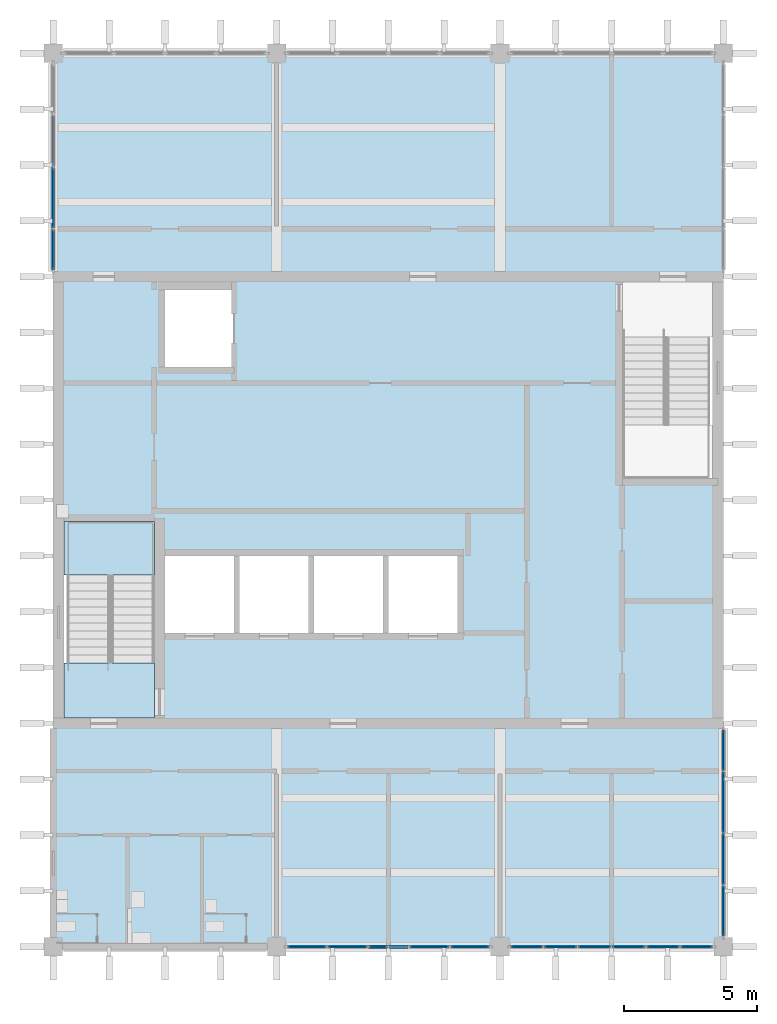
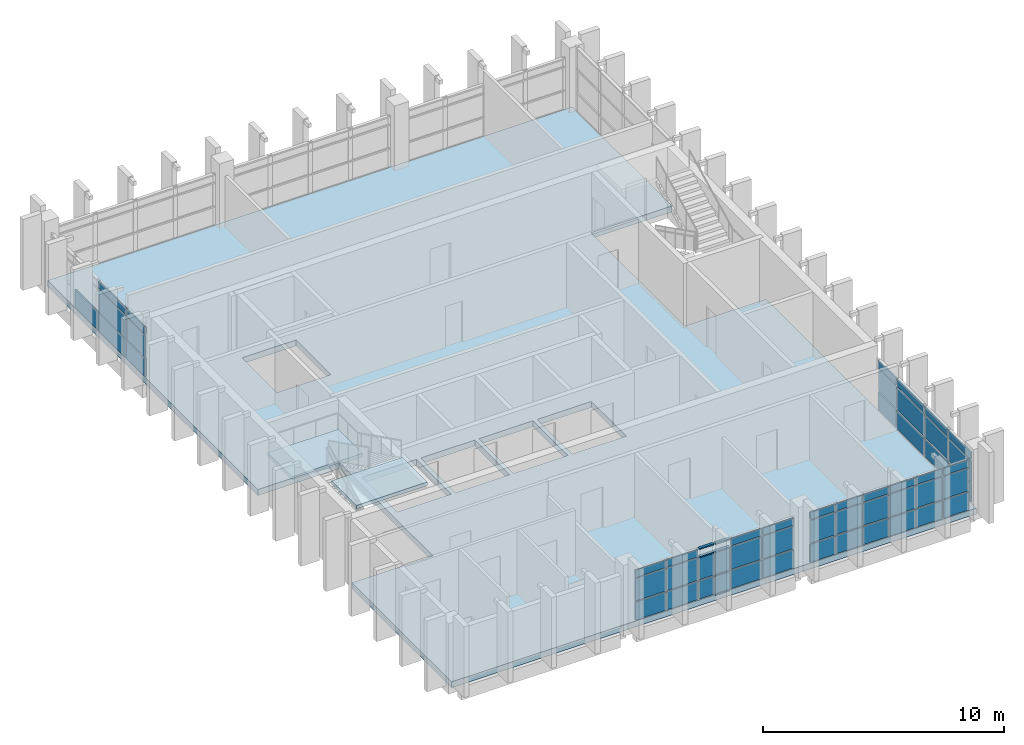
# One storey, part 5 of 11: 53 plates, 6 members, 3 slabs, 5 elements without a shape of their own.
"""IFC4 building model written with IfcOpenShell, lengths in metres."""

from ifc_helpers import new_model, si_unit, direction, frame, origin, origin_2d, place, context, subcontext, project, spatial, polyline, rectangle, outline, extrude, material, layer, layer_set, material_profile, profile_set, type_object, element, aggregate, save


model = new_model("IFC4")

# Units and contexts
model_context = context("Model", 3, precision=1e-05, world=origin(), true_north=direction((0.0, 1.0)))
body_context = subcontext(model_context, "Body", "Model", "MODEL_VIEW")
ifc_project = project(units=[si_unit("LENGTHUNIT", "METRE"), si_unit("AREAUNIT", "SQUARE_METRE"), si_unit("VOLUMEUNIT", "CUBIC_METRE"), si_unit("PLANEANGLEUNIT", "RADIAN"), si_unit("MASSUNIT", "GRAM", prefix="KILO")], contexts=[model_context])

# Site, building, storey
site_placement = place(None, origin())
site = spatial("IfcSite", under=ifc_project, at=site_placement, CompositionType="ELEMENT")
building_placement = place(site_placement, origin())
building = spatial("IfcBuilding", under=site, at=building_placement, Name="Rulbaag Community and Learning Centre", CompositionType="ELEMENT")
storey_placement = place(building_placement, frame((0.0, 0.0, 50.39990234375)))
storey = spatial("IfcBuildingStorey", under=building, at=storey_placement, Name="L13", CompositionType="ELEMENT", Elevation=50.39990234375)

# Curtain wall, members, plates
ifc_material_1 = material(Name="Aluminium", Category="aluminium")
ifc_layer_1 = layer(ifc_material_1, 0.14990234375)
ifc_layer_set_1 = layer_set([ifc_layer_1], Name="CW-S")
curtain_wall_type_1 = type_object("IfcCurtainWallType", Name="CW-S", PredefinedType="USERDEFINED", material=ifc_layer_set_1)
curtain_wall_1_placement = place(storey_placement, origin())
curtain_wall_1 = element("IfcCurtainWall", 1, at=curtain_wall_1_placement, inside=storey, type_object=curtain_wall_type_1, Name="GS-L13-01", ObjectType="UNITISED CURTAIN WALL", PredefinedType="USERDEFINED")
ifc_material_2 = material(Name="Aluminium transom", Category="aluminium")
ifc_material_profile = material_profile(ifc_material_2, rectangle(XDim=0.125, YDim=0.06005859375, at=origin_2d()), Name="AL 60x125 T")
ifc_profile_set = profile_set([ifc_material_profile], Name="Aluminium transom")
member_type = type_object("IfcMemberType", Name="CW-S-TRN", PredefinedType="USERDEFINED", material=ifc_profile_set)
member_1_placement = place(storey_placement, frame((154.659912109375, 84.0, 2.2001953125), z_axis=(1.0, 0.0, 0.0), x_axis=(0.0, 1.0, 0.0)))
member_1 = element("IfcMember", 2, at=member_1_placement, type_object=member_type, Name="GS transom 3.3", ObjectType="TRANSOM", PredefinedType="USERDEFINED", context=body_context, shape_type="SweptSolid", body=[
    extrude(rectangle(XDim=0.125, YDim=0.06005859375, at=origin_2d()), origin(), (0.0, 0.0, 1.0), 0.710205078125),
])
member_2_placement = place(storey_placement, frame((154.659912109375, 84.0, 2.6201171875), z_axis=(1.0, 0.0, 0.0), x_axis=(0.0, 1.0, 0.0)))
member_2 = element("IfcMember", 3, at=member_2_placement, type_object=member_type, Name="GS transom 3.4", ObjectType="TRANSOM", PredefinedType="USERDEFINED", context=body_context, shape_type="SweptSolid", body=[
    extrude(rectangle(XDim=0.125, YDim=0.06005859375, at=origin_2d()), origin(), (0.0, 0.0, 1.0), 0.710205078125),
])
member_3_placement = place(storey_placement, frame((155.429931640625, 84.0, 0.030029296875), z_axis=(1.0, 0.0, 0.0), x_axis=(0.0, 1.0, 0.0)))
member_3 = element("IfcMember", 4, at=member_3_placement, type_object=member_type, Name="GS transom 4.1", ObjectType="TRANSOM", PredefinedType="USERDEFINED", context=body_context, shape_type="SweptSolid", body=[
    extrude(rectangle(XDim=0.125, YDim=0.06005859375, at=origin_2d()), origin(), (0.0, 0.0, 1.0), 0.7099609375),
])
member_4_placement = place(storey_placement, frame((155.429931640625, 84.0, 1.0), z_axis=(1.0, 0.0, 0.0), x_axis=(0.0, 1.0, 0.0)))
member_4 = element("IfcMember", 5, at=member_4_placement, type_object=member_type, Name="GS transom 4.2", ObjectType="TRANSOM", PredefinedType="USERDEFINED", context=body_context, shape_type="SweptSolid", body=[
    extrude(rectangle(XDim=0.125, YDim=0.06005859375, at=origin_2d()), origin(), (0.0, 0.0, 1.0), 0.7099609375),
])
member_5_placement = place(storey_placement, frame((155.429931640625, 84.0, 2.2001953125), z_axis=(1.0, 0.0, 0.0), x_axis=(0.0, 1.0, 0.0)))
member_5 = element("IfcMember", 6, at=member_5_placement, type_object=member_type, Name="GS transom 4.3", ObjectType="TRANSOM", PredefinedType="USERDEFINED", context=body_context, shape_type="SweptSolid", body=[
    extrude(rectangle(XDim=0.125, YDim=0.06005859375, at=origin_2d()), origin(), (0.0, 0.0, 1.0), 0.7099609375),
])
member_6_placement = place(storey_placement, frame((155.429931640625, 84.0, 2.6201171875), z_axis=(1.0, 0.0, 0.0), x_axis=(0.0, 1.0, 0.0)))
member_6 = element("IfcMember", 7, at=member_6_placement, type_object=member_type, Name="GS transom 4.4", ObjectType="TRANSOM", PredefinedType="USERDEFINED", context=body_context, shape_type="SweptSolid", body=[
    extrude(rectangle(XDim=0.125, YDim=0.06005859375, at=origin_2d()), origin(), (0.0, 0.0, 1.0), 0.7099609375),
])
ifc_layer_2 = layer(ifc_material_1, 0.054931640625)
ifc_layer_set_2 = layer_set([ifc_layer_2], Name="CW-S-SPN")
plate_type_1 = type_object("IfcPlateType", Name="CW-S-SPN", PredefinedType="CURTAIN_PANEL", material=ifc_layer_set_2)
plate_1_placement = place(storey_placement, frame((152.3349609375, 84.0, 0.06005859375), z_axis=(0.0, 0.0, 1.0), x_axis=(1.0, 0.0, 0.0)))
plate_1 = element("IfcPlate", 8, at=plate_1_placement, type_object=plate_type_1, Name="GS spandrel panel", PredefinedType="CURTAIN_PANEL", context=body_context, shape_type="SweptSolid", body=[
    extrude(rectangle(XDim=1.449951171875, YDim=0.054931640625, at=origin_2d()), origin(), (0.0, 0.0, 1.0), 0.909912109375),
])
plate_2_placement = place(storey_placement, frame((152.3349609375, 84.0, 2.22998046875), z_axis=(0.0, 0.0, 1.0), x_axis=(1.0, 0.0, 0.0)))
plate_2 = element("IfcPlate", 9, at=plate_2_placement, type_object=plate_type_1, Name="GS spandrel panel", PredefinedType="CURTAIN_PANEL", context=body_context, shape_type="SweptSolid", body=[
    extrude(rectangle(XDim=1.449951171875, YDim=0.054931640625, at=origin_2d()), origin(), (0.0, 0.0, 1.0), 0.360107421875),
])
plate_3_placement = place(storey_placement, frame((153.860107421875, 84.0, 0.06005859375), z_axis=(0.0, 0.0, 1.0), x_axis=(1.0, 0.0, 0.0)))
plate_3 = element("IfcPlate", 10, at=plate_3_placement, type_object=plate_type_1, Name="GS spandrel panel", PredefinedType="CURTAIN_PANEL", context=body_context, shape_type="SweptSolid", body=[
    extrude(rectangle(XDim=1.47998046875, YDim=0.054931640625, at=origin_2d()), origin(), (0.0, 0.0, 1.0), 0.909912109375),
])
plate_4_placement = place(storey_placement, frame((153.860107421875, 84.0, 2.22998046875), z_axis=(0.0, 0.0, 1.0), x_axis=(1.0, 0.0, 0.0)))
plate_4 = element("IfcPlate", 11, at=plate_4_placement, type_object=plate_type_1, Name="GS spandrel panel", PredefinedType="CURTAIN_PANEL", context=body_context, shape_type="SweptSolid", body=[
    extrude(rectangle(XDim=1.47998046875, YDim=0.054931640625, at=origin_2d()), origin(), (0.0, 0.0, 1.0), 0.360107421875),
])
plate_5_placement = place(storey_placement, frame((155.014892578125, 84.0, 0.06005859375), z_axis=(0.0, 0.0, 1.0), x_axis=(1.0, 0.0, 0.0)))
plate_5 = element("IfcPlate", 12, at=plate_5_placement, type_object=plate_type_1, Name="GS spandrel panel", PredefinedType="CURTAIN_PANEL", context=body_context, shape_type="SweptSolid", body=[
    extrude(rectangle(XDim=0.7099609375, YDim=0.054931640625, at=origin_2d()), origin(), (0.0, 0.0, 1.0), 0.909912109375),
])
plate_6_placement = place(storey_placement, frame((155.784912109375, 84.0, 0.06005859375), z_axis=(0.0, 0.0, 1.0), x_axis=(1.0, 0.0, 0.0)))
plate_6 = element("IfcPlate", 13, at=plate_6_placement, type_object=plate_type_1, Name="GS spandrel panel", PredefinedType="CURTAIN_PANEL", context=body_context, shape_type="SweptSolid", body=[
    extrude(rectangle(XDim=0.7099609375, YDim=0.054931640625, at=origin_2d()), origin(), (0.0, 0.0, 1.0), 0.909912109375),
])
plate_7_placement = place(storey_placement, frame((156.93994140625, 84.0, 0.06005859375), z_axis=(0.0, 0.0, 1.0), x_axis=(1.0, 0.0, 0.0)))
plate_7 = element("IfcPlate", 14, at=plate_7_placement, type_object=plate_type_1, Name="GS spandrel panel", PredefinedType="CURTAIN_PANEL", context=body_context, shape_type="SweptSolid", body=[
    extrude(rectangle(XDim=1.47998046875, YDim=0.054931640625, at=origin_2d()), origin(), (0.0, 0.0, 1.0), 0.909912109375),
])
plate_8_placement = place(storey_placement, frame((156.93994140625, 84.0, 2.22998046875), z_axis=(0.0, 0.0, 1.0), x_axis=(1.0, 0.0, 0.0)))
plate_8 = element("IfcPlate", 15, at=plate_8_placement, type_object=plate_type_1, Name="GS spandrel panel", PredefinedType="CURTAIN_PANEL", context=body_context, shape_type="SweptSolid", body=[
    extrude(rectangle(XDim=1.47998046875, YDim=0.054931640625, at=origin_2d()), origin(), (0.0, 0.0, 1.0), 0.360107421875),
])
plate_9_placement = place(storey_placement, frame((158.465087890625, 84.0, 0.06005859375), z_axis=(0.0, 0.0, 1.0), x_axis=(1.0, 0.0, 0.0)))
plate_9 = element("IfcPlate", 16, at=plate_9_placement, type_object=plate_type_1, Name="GS spandrel panel", PredefinedType="CURTAIN_PANEL", context=body_context, shape_type="SweptSolid", body=[
    extrude(rectangle(XDim=1.449951171875, YDim=0.054931640625, at=origin_2d()), origin(), (0.0, 0.0, 1.0), 0.909912109375),
])
plate_10_placement = place(storey_placement, frame((158.465087890625, 84.0, 2.22998046875), z_axis=(0.0, 0.0, 1.0), x_axis=(1.0, 0.0, 0.0)))
plate_10 = element("IfcPlate", 17, at=plate_10_placement, type_object=plate_type_1, Name="GS spandrel panel", PredefinedType="CURTAIN_PANEL", context=body_context, shape_type="SweptSolid", body=[
    extrude(rectangle(XDim=1.449951171875, YDim=0.054931640625, at=origin_2d()), origin(), (0.0, 0.0, 1.0), 0.360107421875),
])

# Curtain wall, plates
curtain_wall_2_placement = place(storey_placement, origin())
curtain_wall_2 = element("IfcCurtainWall", 18, at=curtain_wall_2_placement, inside=storey, type_object=curtain_wall_type_1, Name="GS-L13-02", ObjectType="UNITISED CURTAIN WALL", PredefinedType="USERDEFINED")
plate_11_placement = place(storey_placement, frame((160.606689453125, 84.0, 0.06005859375), z_axis=(0.0, 0.0, 1.0), x_axis=(1.0, 0.0, 0.0)))
plate_11 = element("IfcPlate", 19, at=plate_11_placement, type_object=plate_type_1, Name="GS spandrel panel", PredefinedType="CURTAIN_PANEL", context=body_context, shape_type="SweptSolid", body=[
    extrude(rectangle(XDim=1.193359375, YDim=0.054931640625, at=origin_2d()), origin(), (0.0, 0.0, 1.0), 0.909912109375),
])
plate_12_placement = place(storey_placement, frame((160.606689453125, 84.0, 2.22998046875), z_axis=(0.0, 0.0, 1.0), x_axis=(1.0, 0.0, 0.0)))
plate_12 = element("IfcPlate", 20, at=plate_12_placement, type_object=plate_type_1, Name="GS spandrel panel", PredefinedType="CURTAIN_PANEL", context=body_context, shape_type="SweptSolid", body=[
    extrude(rectangle(XDim=1.193359375, YDim=0.054931640625, at=origin_2d()), origin(), (0.0, 0.0, 1.0), 0.360107421875),
])
plate_13_placement = place(storey_placement, frame((161.875, 84.0, 0.06005859375), z_axis=(0.0, 0.0, 1.0), x_axis=(1.0, 0.0, 0.0)))
plate_13 = element("IfcPlate", 21, at=plate_13_placement, type_object=plate_type_1, Name="GS spandrel panel", PredefinedType="CURTAIN_PANEL", context=body_context, shape_type="SweptSolid", body=[
    extrude(rectangle(XDim=1.223388671875, YDim=0.054931640625, at=origin_2d()), origin(), (0.0, 0.0, 1.0), 0.909912109375),
])
plate_14_placement = place(storey_placement, frame((161.875, 84.0, 2.22998046875), z_axis=(0.0, 0.0, 1.0), x_axis=(1.0, 0.0, 0.0)))
plate_14 = element("IfcPlate", 22, at=plate_14_placement, type_object=plate_type_1, Name="GS spandrel panel", PredefinedType="CURTAIN_PANEL", context=body_context, shape_type="SweptSolid", body=[
    extrude(rectangle(XDim=1.223388671875, YDim=0.054931640625, at=origin_2d()), origin(), (0.0, 0.0, 1.0), 0.360107421875),
])
plate_15_placement = place(storey_placement, frame((163.158447265625, 84.0, 0.06005859375), z_axis=(0.0, 0.0, 1.0), x_axis=(1.0, 0.0, 0.0)))
plate_15 = element("IfcPlate", 23, at=plate_15_placement, type_object=plate_type_1, Name="GS spandrel panel", PredefinedType="CURTAIN_PANEL", context=body_context, shape_type="SweptSolid", body=[
    extrude(rectangle(XDim=1.223388671875, YDim=0.054931640625, at=origin_2d()), origin(), (0.0, 0.0, 1.0), 0.909912109375),
])
plate_16_placement = place(storey_placement, frame((163.158447265625, 84.0, 2.22998046875), z_axis=(0.0, 0.0, 1.0), x_axis=(1.0, 0.0, 0.0)))
plate_16 = element("IfcPlate", 24, at=plate_16_placement, type_object=plate_type_1, Name="GS spandrel panel", PredefinedType="CURTAIN_PANEL", context=body_context, shape_type="SweptSolid", body=[
    extrude(rectangle(XDim=1.223388671875, YDim=0.054931640625, at=origin_2d()), origin(), (0.0, 0.0, 1.0), 0.360107421875),
])
plate_17_placement = place(storey_placement, frame((164.441650390625, 84.0, 0.06005859375), z_axis=(0.0, 0.0, 1.0), x_axis=(1.0, 0.0, 0.0)))
plate_17 = element("IfcPlate", 25, at=plate_17_placement, type_object=plate_type_1, Name="GS spandrel panel", PredefinedType="CURTAIN_PANEL", context=body_context, shape_type="SweptSolid", body=[
    extrude(rectangle(XDim=1.223388671875, YDim=0.054931640625, at=origin_2d()), origin(), (0.0, 0.0, 1.0), 0.909912109375),
])
plate_18_placement = place(storey_placement, frame((164.441650390625, 84.0, 2.22998046875), z_axis=(0.0, 0.0, 1.0), x_axis=(1.0, 0.0, 0.0)))
plate_18 = element("IfcPlate", 26, at=plate_18_placement, type_object=plate_type_1, Name="GS spandrel panel", PredefinedType="CURTAIN_PANEL", context=body_context, shape_type="SweptSolid", body=[
    extrude(rectangle(XDim=1.223388671875, YDim=0.054931640625, at=origin_2d()), origin(), (0.0, 0.0, 1.0), 0.360107421875),
])
plate_19_placement = place(storey_placement, frame((165.72509765625, 84.0, 0.06005859375), z_axis=(0.0, 0.0, 1.0), x_axis=(1.0, 0.0, 0.0)))
plate_19 = element("IfcPlate", 27, at=plate_19_placement, type_object=plate_type_1, Name="GS spandrel panel", PredefinedType="CURTAIN_PANEL", context=body_context, shape_type="SweptSolid", body=[
    extrude(rectangle(XDim=1.223388671875, YDim=0.054931640625, at=origin_2d()), origin(), (0.0, 0.0, 1.0), 0.909912109375),
])
plate_20_placement = place(storey_placement, frame((165.72509765625, 84.0, 2.22998046875), z_axis=(0.0, 0.0, 1.0), x_axis=(1.0, 0.0, 0.0)))
plate_20 = element("IfcPlate", 28, at=plate_20_placement, type_object=plate_type_1, Name="GS spandrel panel", PredefinedType="CURTAIN_PANEL", context=body_context, shape_type="SweptSolid", body=[
    extrude(rectangle(XDim=1.223388671875, YDim=0.054931640625, at=origin_2d()), origin(), (0.0, 0.0, 1.0), 0.360107421875),
])
plate_21_placement = place(storey_placement, frame((166.993408203125, 84.0, 0.06005859375), z_axis=(0.0, 0.0, 1.0), x_axis=(1.0, 0.0, 0.0)))
plate_21 = element("IfcPlate", 29, at=plate_21_placement, type_object=plate_type_1, Name="GS spandrel panel", PredefinedType="CURTAIN_PANEL", context=body_context, shape_type="SweptSolid", body=[
    extrude(rectangle(XDim=1.193359375, YDim=0.054931640625, at=origin_2d()), origin(), (0.0, 0.0, 1.0), 0.909912109375),
])
plate_22_placement = place(storey_placement, frame((166.993408203125, 84.0, 2.22998046875), z_axis=(0.0, 0.0, 1.0), x_axis=(1.0, 0.0, 0.0)))
plate_22 = element("IfcPlate", 30, at=plate_22_placement, type_object=plate_type_1, Name="GS spandrel panel", PredefinedType="CURTAIN_PANEL", context=body_context, shape_type="SweptSolid", body=[
    extrude(rectangle(XDim=1.193359375, YDim=0.054931640625, at=origin_2d()), origin(), (0.0, 0.0, 1.0), 0.360107421875),
])

# Plate
ifc_material_3 = material(Name="Glass", Category="glass")
ifc_layer_3 = layer(ifc_material_3, 0.030029296875)
ifc_layer_set_3 = layer_set([ifc_layer_3], Name="CW-S-VIS")
plate_type_2 = type_object("IfcPlateType", Name="CW-S-VIS", PredefinedType="CURTAIN_PANEL", material=ifc_layer_set_3)
plate_23_placement = place(storey_placement, frame((152.3349609375, 84.0, 1.0302734375), z_axis=(0.0, 0.0, 1.0), x_axis=(1.0, 0.0, 0.0)))
plate_23 = element("IfcPlate", 31, at=plate_23_placement, type_object=plate_type_2, Name="GS vision panel", PredefinedType="CURTAIN_PANEL", context=body_context, shape_type="SweptSolid", body=[
    extrude(rectangle(XDim=1.449951171875, YDim=0.030029296875, at=origin_2d()), origin(), (0.0, 0.0, 1.0), 1.139892578125),
])

plate_24_placement = place(storey_placement, frame((153.860107421875, 84.0, 1.0302734375), z_axis=(0.0, 0.0, 1.0), x_axis=(1.0, 0.0, 0.0)))
plate_24 = element("IfcPlate", 32, at=plate_24_placement, type_object=plate_type_2, Name="GS vision panel", PredefinedType="CURTAIN_PANEL", context=body_context, shape_type="SweptSolid", body=[
    extrude(rectangle(XDim=1.47998046875, YDim=0.030029296875, at=origin_2d()), origin(), (0.0, 0.0, 1.0), 1.139892578125),
])

plate_25_placement = place(storey_placement, frame((155.014892578125, 84.0, 1.0302734375), z_axis=(0.0, 0.0, 1.0), x_axis=(1.0, 0.0, 0.0)))
plate_25 = element("IfcPlate", 33, at=plate_25_placement, type_object=plate_type_2, Name="GS vision panel", PredefinedType="CURTAIN_PANEL", context=body_context, shape_type="SweptSolid", body=[
    extrude(rectangle(XDim=0.7099609375, YDim=0.030029296875, at=origin_2d()), origin(), (0.0, 0.0, 1.0), 1.139892578125),
])

plate_26_placement = place(storey_placement, frame((155.784912109375, 84.0, 1.0302734375), z_axis=(0.0, 0.0, 1.0), x_axis=(1.0, 0.0, 0.0)))
plate_26 = element("IfcPlate", 34, at=plate_26_placement, type_object=plate_type_2, Name="GS vision panel", PredefinedType="CURTAIN_PANEL", context=body_context, shape_type="SweptSolid", body=[
    extrude(rectangle(XDim=0.7099609375, YDim=0.030029296875, at=origin_2d()), origin(), (0.0, 0.0, 1.0), 1.139892578125),
])

plate_27_placement = place(storey_placement, frame((156.93994140625, 84.0, 1.0302734375), z_axis=(0.0, 0.0, 1.0), x_axis=(1.0, 0.0, 0.0)))
plate_27 = element("IfcPlate", 35, at=plate_27_placement, type_object=plate_type_2, Name="GS vision panel", PredefinedType="CURTAIN_PANEL", context=body_context, shape_type="SweptSolid", body=[
    extrude(rectangle(XDim=1.47998046875, YDim=0.030029296875, at=origin_2d()), origin(), (0.0, 0.0, 1.0), 1.139892578125),
])

plate_28_placement = place(storey_placement, frame((158.465087890625, 84.0, 1.0302734375), z_axis=(0.0, 0.0, 1.0), x_axis=(1.0, 0.0, 0.0)))
plate_28 = element("IfcPlate", 36, at=plate_28_placement, type_object=plate_type_2, Name="GS vision panel", PredefinedType="CURTAIN_PANEL", context=body_context, shape_type="SweptSolid", body=[
    extrude(rectangle(XDim=1.449951171875, YDim=0.030029296875, at=origin_2d()), origin(), (0.0, 0.0, 1.0), 1.139892578125),
])

aggregate(curtain_wall_1, [plate_1, plate_23, plate_2, plate_3, plate_24, plate_4, member_1, member_2, plate_5, plate_25, member_3, member_4, member_5, member_6, plate_6, plate_26, plate_7, plate_27, plate_8, plate_9, plate_28, plate_10])

plate_29_placement = place(storey_placement, frame((160.606689453125, 84.0, 1.0302734375), z_axis=(0.0, 0.0, 1.0), x_axis=(1.0, 0.0, 0.0)))
plate_29 = element("IfcPlate", 37, at=plate_29_placement, type_object=plate_type_2, Name="GS vision panel", PredefinedType="CURTAIN_PANEL", context=body_context, shape_type="SweptSolid", body=[
    extrude(rectangle(XDim=1.193359375, YDim=0.030029296875, at=origin_2d()), origin(), (0.0, 0.0, 1.0), 1.139892578125),
])

plate_30_placement = place(storey_placement, frame((161.875, 84.0, 1.0302734375), z_axis=(0.0, 0.0, 1.0), x_axis=(1.0, 0.0, 0.0)))
plate_30 = element("IfcPlate", 38, at=plate_30_placement, type_object=plate_type_2, Name="GS vision panel", PredefinedType="CURTAIN_PANEL", context=body_context, shape_type="SweptSolid", body=[
    extrude(rectangle(XDim=1.223388671875, YDim=0.030029296875, at=origin_2d()), origin(), (0.0, 0.0, 1.0), 1.139892578125),
])

plate_31_placement = place(storey_placement, frame((163.158447265625, 84.0, 1.0302734375), z_axis=(0.0, 0.0, 1.0), x_axis=(1.0, 0.0, 0.0)))
plate_31 = element("IfcPlate", 39, at=plate_31_placement, type_object=plate_type_2, Name="GS vision panel", PredefinedType="CURTAIN_PANEL", context=body_context, shape_type="SweptSolid", body=[
    extrude(rectangle(XDim=1.223388671875, YDim=0.030029296875, at=origin_2d()), origin(), (0.0, 0.0, 1.0), 1.139892578125),
])

plate_32_placement = place(storey_placement, frame((164.441650390625, 84.0, 1.0302734375), z_axis=(0.0, 0.0, 1.0), x_axis=(1.0, 0.0, 0.0)))
plate_32 = element("IfcPlate", 40, at=plate_32_placement, type_object=plate_type_2, Name="GS vision panel", PredefinedType="CURTAIN_PANEL", context=body_context, shape_type="SweptSolid", body=[
    extrude(rectangle(XDim=1.223388671875, YDim=0.030029296875, at=origin_2d()), origin(), (0.0, 0.0, 1.0), 1.139892578125),
])

plate_33_placement = place(storey_placement, frame((165.72509765625, 84.0, 1.0302734375), z_axis=(0.0, 0.0, 1.0), x_axis=(1.0, 0.0, 0.0)))
plate_33 = element("IfcPlate", 41, at=plate_33_placement, type_object=plate_type_2, Name="GS vision panel", PredefinedType="CURTAIN_PANEL", context=body_context, shape_type="SweptSolid", body=[
    extrude(rectangle(XDim=1.223388671875, YDim=0.030029296875, at=origin_2d()), origin(), (0.0, 0.0, 1.0), 1.139892578125),
])

plate_34_placement = place(storey_placement, frame((166.993408203125, 84.0, 1.0302734375), z_axis=(0.0, 0.0, 1.0), x_axis=(1.0, 0.0, 0.0)))
plate_34 = element("IfcPlate", 42, at=plate_34_placement, type_object=plate_type_2, Name="GS vision panel", PredefinedType="CURTAIN_PANEL", context=body_context, shape_type="SweptSolid", body=[
    extrude(rectangle(XDim=1.193359375, YDim=0.030029296875, at=origin_2d()), origin(), (0.0, 0.0, 1.0), 1.139892578125),
])

aggregate(curtain_wall_2, [plate_11, plate_29, plate_12, plate_13, plate_30, plate_14, plate_15, plate_31, plate_16, plate_17, plate_32, plate_18, plate_19, plate_33, plate_20, plate_21, plate_34, plate_22])

# Curtain wall, plates
ifc_layer_4 = layer(ifc_material_1, 0.14990234375)
ifc_layer_set_4 = layer_set([ifc_layer_4], Name="CW-T")
curtain_wall_type_2 = type_object("IfcCurtainWallType", Name="CW-T", PredefinedType="USERDEFINED", material=ifc_layer_set_4)
curtain_wall_3_placement = place(storey_placement, origin())
curtain_wall_3 = element("IfcCurtainWall", 43, at=curtain_wall_3_placement, inside=storey, type_object=curtain_wall_type_2, Name="GT-L13-04", ObjectType="UNITISED CURTAIN WALL", PredefinedType="USERDEFINED")
ifc_layer_5 = layer(ifc_material_1, 0.06005859375)
ifc_layer_set_5 = layer_set([ifc_layer_5], Name="CW-T-SPN")
plate_type_3 = type_object("IfcPlateType", Name="CW-T-SPN", PredefinedType="CURTAIN_PANEL", material=ifc_layer_set_5)
plate_35_placement = place(storey_placement, frame((142.800048828125, 110.21630859375, 0.06494140625), z_axis=(0.0, 0.0, 1.0), x_axis=(0.0, 1.0, 0.0)))
plate_35 = element("IfcPlate", 44, at=plate_35_placement, type_object=plate_type_3, Name="GT spandrel panel", PredefinedType="CURTAIN_PANEL", context=body_context, shape_type="SweptSolid", body=[
    extrude(rectangle(XDim=1.50244140625, YDim=0.06005859375, at=origin_2d()), origin(), (0.0, 0.0, 1.0), 0.902587890625),
])
plate_36_placement = place(storey_placement, frame((142.800048828125, 110.21630859375, 2.232666015625), z_axis=(0.0, 0.0, 1.0), x_axis=(0.0, 1.0, 0.0)))
plate_36 = element("IfcPlate", 45, at=plate_36_placement, type_object=plate_type_3, Name="GT spandrel panel", PredefinedType="CURTAIN_PANEL", context=body_context, shape_type="SweptSolid", body=[
    extrude(rectangle(XDim=1.50244140625, YDim=0.06005859375, at=origin_2d()), origin(), (0.0, 0.0, 1.0), 0.3525390625),
])
plate_37_placement = place(storey_placement, frame((142.800048828125, 112.16259765625, 0.06494140625), z_axis=(0.0, 0.0, 1.0), x_axis=(0.0, 1.0, 0.0)))
plate_37 = element("IfcPlate", 46, at=plate_37_placement, type_object=plate_type_3, Name="GT spandrel panel", PredefinedType="CURTAIN_PANEL", context=body_context, shape_type="SweptSolid", body=[
    extrude(rectangle(XDim=2.260009765625, YDim=0.06005859375, at=origin_2d()), origin(), (0.0, 0.0, 1.0), 0.902587890625),
])
plate_38_placement = place(storey_placement, frame((142.800048828125, 112.16259765625, 2.232666015625), z_axis=(0.0, 0.0, 1.0), x_axis=(0.0, 1.0, 0.0)))
plate_38 = element("IfcPlate", 47, at=plate_38_placement, type_object=plate_type_3, Name="GT spandrel panel", PredefinedType="CURTAIN_PANEL", context=body_context, shape_type="SweptSolid", body=[
    extrude(rectangle(XDim=2.260009765625, YDim=0.06005859375, at=origin_2d()), origin(), (0.0, 0.0, 1.0), 0.3525390625),
])
plate_39_placement = place(storey_placement, frame((142.800048828125, 114.30615234375, 0.06494140625), z_axis=(0.0, 0.0, 1.0), x_axis=(0.0, 1.0, 0.0)))
plate_39 = element("IfcPlate", 48, at=plate_39_placement, type_object=plate_type_3, Name="GT spandrel panel", PredefinedType="CURTAIN_PANEL", context=body_context, shape_type="SweptSolid", body=[
    extrude(rectangle(XDim=1.8974609375, YDim=0.06005859375, at=origin_2d()), origin(), (0.0, 0.0, 1.0), 0.902587890625),
])

curtain_wall_4_placement = place(storey_placement, origin())
curtain_wall_4 = element("IfcCurtainWall", 49, at=curtain_wall_4_placement, inside=storey, type_object=curtain_wall_type_2, Name="GT-L13-05", ObjectType="UNITISED CURTAIN WALL", PredefinedType="USERDEFINED")
plate_40_placement = place(storey_placement, frame((168.0, 85.347412109375, 0.06494140625), z_axis=(0.0, 0.0, 1.0), x_axis=(0.0, 1.0, 0.0)))
plate_40 = element("IfcPlate", 50, at=plate_40_placement, type_object=plate_type_3, Name="GT spandrel panel", PredefinedType="CURTAIN_PANEL", context=body_context, shape_type="SweptSolid", body=[
    extrude(rectangle(XDim=1.864990234375, YDim=0.06005859375, at=origin_2d()), origin(), (0.0, 0.0, 1.0), 0.902587890625),
])
plate_41_placement = place(storey_placement, frame((168.0, 85.347412109375, 2.232666015625), z_axis=(0.0, 0.0, 1.0), x_axis=(0.0, 1.0, 0.0)))
plate_41 = element("IfcPlate", 51, at=plate_41_placement, type_object=plate_type_3, Name="GT spandrel panel", PredefinedType="CURTAIN_PANEL", context=body_context, shape_type="SweptSolid", body=[
    extrude(rectangle(XDim=1.864990234375, YDim=0.06005859375, at=origin_2d()), origin(), (0.0, 0.0, 1.0), 0.3525390625),
])
plate_42_placement = place(storey_placement, frame((168.0, 87.293701171875, 0.06494140625), z_axis=(0.0, 0.0, 1.0), x_axis=(0.0, 1.0, 0.0)))
plate_42 = element("IfcPlate", 52, at=plate_42_placement, type_object=plate_type_3, Name="GT spandrel panel", PredefinedType="CURTAIN_PANEL", context=body_context, shape_type="SweptSolid", body=[
    extrude(rectangle(XDim=1.8974609375, YDim=0.06005859375, at=origin_2d()), origin(), (0.0, 0.0, 1.0), 0.902587890625),
])
plate_43_placement = place(storey_placement, frame((168.0, 87.293701171875, 2.232666015625), z_axis=(0.0, 0.0, 1.0), x_axis=(0.0, 1.0, 0.0)))
plate_43 = element("IfcPlate", 53, at=plate_43_placement, type_object=plate_type_3, Name="GT spandrel panel", PredefinedType="CURTAIN_PANEL", context=body_context, shape_type="SweptSolid", body=[
    extrude(rectangle(XDim=1.8974609375, YDim=0.06005859375, at=origin_2d()), origin(), (0.0, 0.0, 1.0), 0.3525390625),
])
plate_44_placement = place(storey_placement, frame((168.0, 89.4375, 0.06494140625), z_axis=(0.0, 0.0, 1.0), x_axis=(0.0, 1.0, 0.0)))
plate_44 = element("IfcPlate", 54, at=plate_44_placement, type_object=plate_type_3, Name="GT spandrel panel", PredefinedType="CURTAIN_PANEL", context=body_context, shape_type="SweptSolid", body=[
    extrude(rectangle(XDim=2.260009765625, YDim=0.06005859375, at=origin_2d()), origin(), (0.0, 0.0, 1.0), 0.902587890625),
])
plate_45_placement = place(storey_placement, frame((168.0, 89.4375, 2.232666015625), z_axis=(0.0, 0.0, 1.0), x_axis=(0.0, 1.0, 0.0)))
plate_45 = element("IfcPlate", 55, at=plate_45_placement, type_object=plate_type_3, Name="GT spandrel panel", PredefinedType="CURTAIN_PANEL", context=body_context, shape_type="SweptSolid", body=[
    extrude(rectangle(XDim=2.260009765625, YDim=0.06005859375, at=origin_2d()), origin(), (0.0, 0.0, 1.0), 0.3525390625),
])
plate_46_placement = place(storey_placement, frame((168.0, 91.3837890625, 0.06494140625), z_axis=(0.0, 0.0, 1.0), x_axis=(0.0, 1.0, 0.0)))
plate_46 = element("IfcPlate", 56, at=plate_46_placement, type_object=plate_type_3, Name="GT spandrel panel", PredefinedType="CURTAIN_PANEL", context=body_context, shape_type="SweptSolid", body=[
    extrude(rectangle(XDim=1.50244140625, YDim=0.06005859375, at=origin_2d()), origin(), (0.0, 0.0, 1.0), 0.902587890625),
])
plate_47_placement = place(storey_placement, frame((168.0, 91.3837890625, 2.232666015625), z_axis=(0.0, 0.0, 1.0), x_axis=(0.0, 1.0, 0.0)))
plate_47 = element("IfcPlate", 57, at=plate_47_placement, type_object=plate_type_3, Name="GT spandrel panel", PredefinedType="CURTAIN_PANEL", context=body_context, shape_type="SweptSolid", body=[
    extrude(rectangle(XDim=1.50244140625, YDim=0.06005859375, at=origin_2d()), origin(), (0.0, 0.0, 1.0), 0.3525390625),
])

# Plate
ifc_layer_6 = layer(ifc_material_3, 0.028076171875)
ifc_layer_set_6 = layer_set([ifc_layer_6], Name="CW-T-VIS")
plate_type_4 = type_object("IfcPlateType", Name="CW-T-VIS", PredefinedType="CURTAIN_PANEL", material=ifc_layer_set_6)
plate_48_placement = place(storey_placement, frame((142.800048828125, 110.21630859375, 1.03271484375), z_axis=(0.0, 0.0, 1.0), x_axis=(0.0, 1.0, 0.0)))
plate_48 = element("IfcPlate", 58, at=plate_48_placement, type_object=plate_type_4, Name="GT vision panel", PredefinedType="CURTAIN_PANEL", context=body_context, shape_type="SweptSolid", body=[
    extrude(rectangle(XDim=1.50244140625, YDim=0.028076171875, at=origin_2d()), origin(), (0.0, 0.0, 1.0), 1.135009765625),
])

plate_49_placement = place(storey_placement, frame((142.800048828125, 112.16259765625, 1.03271484375), z_axis=(0.0, 0.0, 1.0), x_axis=(0.0, 1.0, 0.0)))
plate_49 = element("IfcPlate", 59, at=plate_49_placement, type_object=plate_type_4, Name="GT vision panel", PredefinedType="CURTAIN_PANEL", context=body_context, shape_type="SweptSolid", body=[
    extrude(rectangle(XDim=2.260009765625, YDim=0.028076171875, at=origin_2d()), origin(), (0.0, 0.0, 1.0), 1.135009765625),
])

aggregate(curtain_wall_3, [plate_35, plate_48, plate_36, plate_37, plate_49, plate_38, plate_39])

plate_50_placement = place(storey_placement, frame((168.0, 85.347412109375, 1.03271484375), z_axis=(0.0, 0.0, 1.0), x_axis=(0.0, 1.0, 0.0)))
plate_50 = element("IfcPlate", 60, at=plate_50_placement, type_object=plate_type_4, Name="GT vision panel", PredefinedType="CURTAIN_PANEL", context=body_context, shape_type="SweptSolid", body=[
    extrude(rectangle(XDim=1.864990234375, YDim=0.028076171875, at=origin_2d()), origin(), (0.0, 0.0, 1.0), 1.135009765625),
])

plate_51_placement = place(storey_placement, frame((168.0, 87.293701171875, 1.03271484375), z_axis=(0.0, 0.0, 1.0), x_axis=(0.0, 1.0, 0.0)))
plate_51 = element("IfcPlate", 61, at=plate_51_placement, type_object=plate_type_4, Name="GT vision panel", PredefinedType="CURTAIN_PANEL", context=body_context, shape_type="SweptSolid", body=[
    extrude(rectangle(XDim=1.8974609375, YDim=0.028076171875, at=origin_2d()), origin(), (0.0, 0.0, 1.0), 1.135009765625),
])

plate_52_placement = place(storey_placement, frame((168.0, 89.4375, 1.03271484375), z_axis=(0.0, 0.0, 1.0), x_axis=(0.0, 1.0, 0.0)))
plate_52 = element("IfcPlate", 62, at=plate_52_placement, type_object=plate_type_4, Name="GT vision panel", PredefinedType="CURTAIN_PANEL", context=body_context, shape_type="SweptSolid", body=[
    extrude(rectangle(XDim=2.260009765625, YDim=0.028076171875, at=origin_2d()), origin(), (0.0, 0.0, 1.0), 1.135009765625),
])

plate_53_placement = place(storey_placement, frame((168.0, 91.3837890625, 1.03271484375), z_axis=(0.0, 0.0, 1.0), x_axis=(0.0, 1.0, 0.0)))
plate_53 = element("IfcPlate", 63, at=plate_53_placement, type_object=plate_type_4, Name="GT vision panel", PredefinedType="CURTAIN_PANEL", context=body_context, shape_type="SweptSolid", body=[
    extrude(rectangle(XDim=1.50244140625, YDim=0.028076171875, at=origin_2d()), origin(), (0.0, 0.0, 1.0), 1.135009765625),
])

aggregate(curtain_wall_4, [plate_40, plate_50, plate_41, plate_42, plate_51, plate_43, plate_44, plate_52, plate_45, plate_46, plate_53, plate_47])

# Stair, slabs
ifc_material_4 = material(Name="Concrete M40", Category="concrete")
stair_type = type_object("IfcStairType", Name="ST-1650 STAIR 1650 WIDE", PredefinedType="HALF_TURN_STAIR", material=ifc_material_4)
stair_placement = place(storey_placement, origin())
stair = element("IfcStair", 64, at=stair_placement, inside=storey, type_object=stair_type, Name="Stair ST1 L13", PredefinedType="HALF_TURN_STAIR")
ifc_layer_7 = layer(ifc_material_4, 0.179931640625)
ifc_layer_set_7 = layer_set([ifc_layer_7], Name="LN-180 LANDING 180 Concrete M40")
slab_type_1 = type_object("IfcSlabType", Name="LN-180 LANDING 180 Concrete M40", PredefinedType="LANDING", material=ifc_layer_set_7)
slab_1_placement = place(storey_placement, frame((0.0, 0.0, 1.6201171875)))
slab_1 = element("IfcSlab", 65, at=slab_1_placement, type_object=slab_type_1, Name="ST1 landing 1", PredefinedType="LANDING", context=body_context, shape_type="SweptSolid", body=[
    extrude(outline(polyline([(143.199951171875, 97.97509765625), (143.199951171875, 100.0), (146.60009765625, 100.0), (146.60009765625, 97.97509765625), (143.199951171875, 97.97509765625)])), origin(), (0.0, 0.0, 1.0), 0.179931640625),
])
slab_2_placement = place(storey_placement, frame((0.0, 0.0, 3.420166015625)))
slab_2 = element("IfcSlab", 66, at=slab_2_placement, type_object=slab_type_1, Name="ST1 landing 2", PredefinedType="LANDING", context=body_context, shape_type="SweptSolid", body=[
    extrude(outline(polyline([(143.199951171875, 92.60009765625), (143.199951171875, 94.675048828125), (146.60009765625, 94.675048828125), (146.60009765625, 92.60009765625), (143.199951171875, 92.60009765625)])), origin(), (0.0, 0.0, 1.0), 0.179931640625),
])
aggregate(stair, [slab_1, slab_2])

# Slab
ifc_layer_8 = layer(ifc_material_4, 0.300048828125)
ifc_layer_set_8 = layer_set([ifc_layer_8], Name="S5 Floor slab 300 Concrete M40")
slab_type_2 = type_object("IfcSlabType", Name="S5 Floor slab 300 Concrete M40", PredefinedType="FLOOR", material=ifc_layer_set_8)
slab_3_placement = place(storey_placement, frame((0.0, 0.0, -0.2998046875)))
element("IfcSlab", 67, at=slab_3_placement, inside=storey, type_object=slab_type_2, Name="SL-L13-B01", PredefinedType="FLOOR", context=body_context, shape_type="SweptSolid", body=[
    extrude(outline(polyline([(168.0, 84.0), (142.800048828125, 84.0), (142.800048828125, 92.300048828125), (146.699951171875, 92.300048828125), (146.699951171875, 100.10009765625), (142.800048828125, 100.10009765625), (142.800048828125, 117.60009765625), (168.0, 117.60009765625), (168.0, 109.300048828125), (164.10009765625, 109.300048828125), (164.10009765625, 101.5), (168.0, 101.5), (168.0, 84.0)]), holes=[polyline([(147.0, 98.699951171875), (147.0, 95.800048828125), (149.60009765625, 95.800048828125), (149.60009765625, 98.699951171875), (147.0, 98.699951171875)]), polyline([(149.800048828125, 98.699951171875), (149.800048828125, 95.800048828125), (152.39990234375, 95.800048828125), (152.39990234375, 98.699951171875), (149.800048828125, 98.699951171875)]), polyline([(152.60009765625, 98.699951171875), (152.60009765625, 95.800048828125), (155.199951171875, 95.800048828125), (155.199951171875, 98.699951171875), (152.60009765625, 98.699951171875)]), polyline([(155.39990234375, 98.699951171875), (155.39990234375, 95.800048828125), (158.0, 95.800048828125), (158.0, 98.699951171875), (155.39990234375, 98.699951171875)]), polyline([(147.0, 108.699951171875), (147.0, 105.800048828125), (149.60009765625, 105.800048828125), (149.60009765625, 108.699951171875), (147.0, 108.699951171875)])]), origin(), (0.0, 0.0, 1.0), 0.2998046875),
])

save(model, "model.ifc")
